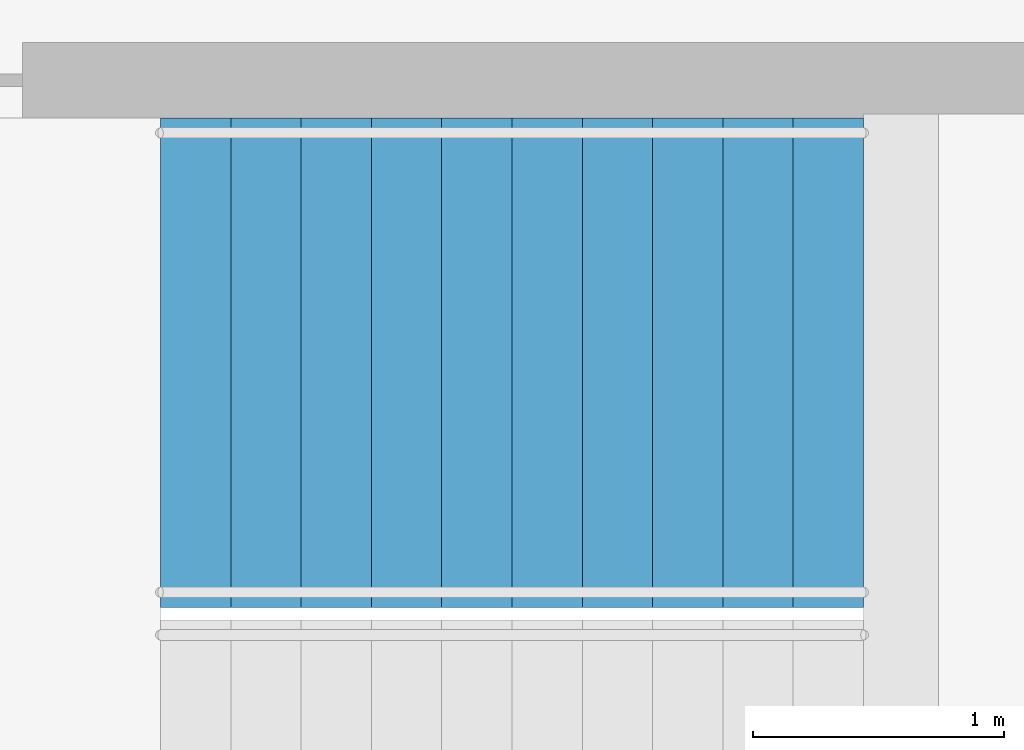
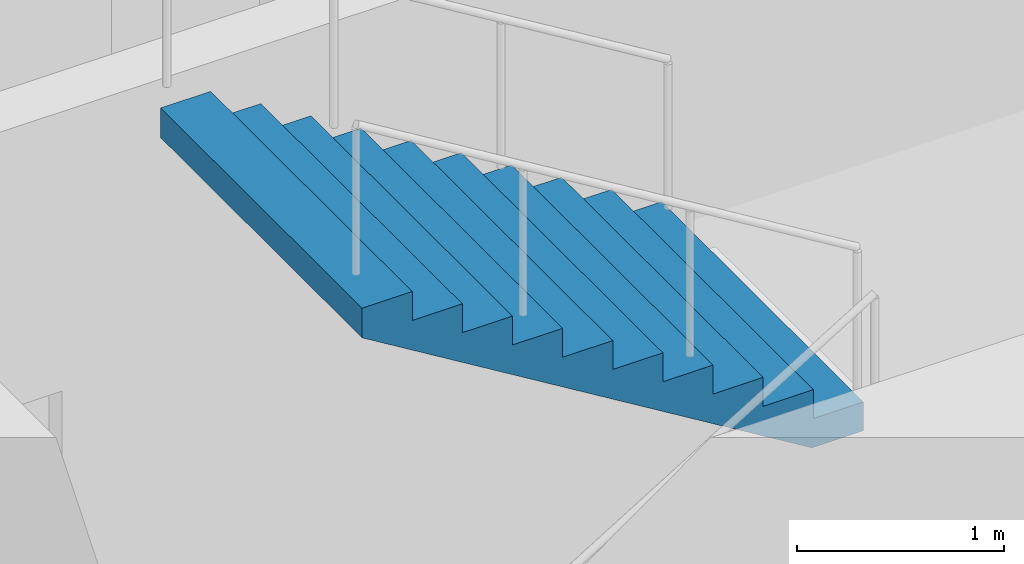
# One storey, part 22 of 25: 1 stair flight, 1 element without a shape of its own.
"""IFC4 building model written with IfcOpenShell, lengths in metres."""

from ifc_helpers import new_model, si_unit, direction, frame, origin, place, context, subcontext, project, spatial, triangles, material, type_object, element, aggregate, save


model = new_model("IFC4")

# Units and contexts
model_context = context("Model", 3, precision=1e-05, world=origin(), true_north=direction((0.0, 1.0)))
body_context = subcontext(model_context, "Body", "Model", "MODEL_VIEW")
ifc_project = project(units=[si_unit("LENGTHUNIT", "METRE"), si_unit("AREAUNIT", "SQUARE_METRE"), si_unit("VOLUMEUNIT", "CUBIC_METRE"), si_unit("PLANEANGLEUNIT", "RADIAN"), si_unit("MASSUNIT", "GRAM", prefix="KILO")], contexts=[model_context])

# Site, building, storey
site_placement = place(None, origin())
site = spatial("IfcSite", under=ifc_project, at=site_placement, CompositionType="ELEMENT")
building_placement = place(site_placement, origin())
building = spatial("IfcBuilding", under=site, at=building_placement, Name="Orbita Commons", CompositionType="ELEMENT")
storey_placement = place(building_placement, frame((0.0, 0.0, 31.449951171875)))
storey = spatial("IfcBuildingStorey", under=building, at=storey_placement, Name="L07", CompositionType="ELEMENT", Elevation=31.449951171875)

# Stair, stair flight
ifc_material_1 = material(Name="Precast concrete C40/50", Category="concrete")
stair_type = type_object("IfcStairType", Name="Exit stair S1 2 flights 11 risers 170", PredefinedType="HALF_TURN_STAIR", material=ifc_material_1)
stair_placement = place(storey_placement, origin())
stair = element("IfcStair", 1, at=stair_placement, inside=storey, type_object=stair_type, Name="Exit stair S1 L07", PredefinedType="HALF_TURN_STAIR")
ifc_material_2 = material(Name="Precast concrete C40/50", Category="concrete")
stair_flight_type = type_object("IfcStairFlightType", Name="Stair flight 11 risers 170 x 280", PredefinedType="STRAIGHT", material=ifc_material_2)
stair_flight_placement = place(storey_placement, frame((23.25, 29.27490234375, 1.875), z_axis=(0.0, 0.0, 1.0), x_axis=(-1.0, 0.0, 0.0)))
stair_flight = element("IfcStairFlight", 2, at=stair_flight_placement, type_object=stair_flight_type, Name="S1 flight 2", NumberOfRisers=11, NumberOfTreads=10, PredefinedType="STRAIGHT", RiserHeight=0.170454545, TreadLength=0.28, context=body_context, shape_type="Tessellation", body=[
    triangles([(0.0, 0.974976, 0.0), (0.0, 0.974976, 0.021307), (0.0, 0.81248, 0.021307), (0.0, 0.81248, 0.0), (0.0, 0.649984, 0.021307), (0.0, 0.649984, 0.0), (0.0, 0.487488, 0.021307), (0.0, 0.487488, 0.0), (0.0, 0.324992, 0.021307), (0.0, 0.324992, 0.0), (0.0, 0.162496, 0.021307), (0.0, 0.162496, 0.0), (0.0, 0.0, 0.021307), (0.0, 0.0, 0.0), (0.0, -0.162496, 0.021307), (0.0, -0.162496, 0.0), (0.0, -0.324992, 0.021307), (0.0, -0.324992, 0.0), (0.0, -0.487488, 0.021307), (0.0, -0.487488, 0.0), (0.0, -0.649984, 0.021307), (0.0, -0.649984, 0.0), (0.0, -0.81248, 0.021307), (0.0, -0.81248, 0.0), (0.0, -0.974976, 0.021307), (0.0, -0.974976, 0.0), (0.0, 0.974976, 0.042614), (0.0, 0.81248, 0.042614), (0.0, 0.649984, 0.042614), (0.0, 0.487488, 0.042614), (0.0, 0.324992, 0.042614), (0.0, 0.162496, 0.042614), (0.0, 0.0, 0.042614), (0.0, -0.162496, 0.042614), (0.0, -0.324992, 0.042614), (0.0, -0.487488, 0.042614), (0.0, -0.649984, 0.042614), (0.0, -0.81248, 0.042614), (0.0, -0.974976, 0.042614), (0.0, 0.974976, 0.06392), (0.0, 0.81248, 0.06392), (0.0, 0.649984, 0.06392), (0.0, 0.487488, 0.06392), (0.0, 0.324992, 0.06392), (0.0, 0.162496, 0.06392), (0.0, 0.0, 0.06392), (0.0, -0.162496, 0.06392), (0.0, -0.324992, 0.06392), (0.0, -0.487488, 0.06392), (0.0, -0.649984, 0.06392), (0.0, -0.81248, 0.06392), (0.0, -0.974976, 0.06392), (0.0, 0.974976, 0.085227), (0.0, 0.81248, 0.085227), (0.0, 0.649984, 0.085227), (0.0, 0.487488, 0.085227), (0.0, 0.324992, 0.085227), (0.0, 0.162496, 0.085227), (0.0, 0.0, 0.085227), (0.0, -0.162496, 0.085227), (0.0, -0.324992, 0.085227), (0.0, -0.487488, 0.085227), (0.0, -0.649984, 0.085227), (0.0, -0.81248, 0.085227), (0.0, -0.974976, 0.085227), (0.0, 0.974976, 0.106534), (0.0, 0.81248, 0.106534), (0.0, 0.649984, 0.106534), (0.0, 0.487488, 0.106534), (0.0, 0.324992, 0.106534), (0.0, 0.162496, 0.106534), (0.0, 0.0, 0.106534), (0.0, -0.162496, 0.106534), (0.0, -0.324992, 0.106534), (0.0, -0.487488, 0.106534), (0.0, -0.649984, 0.106534), (0.0, -0.81248, 0.106534), (0.0, -0.974976, 0.106534), (0.0, 0.974976, 0.127841), (0.0, 0.81248, 0.127841), (0.0, 0.649984, 0.127841), (0.0, 0.487488, 0.127841), (0.0, 0.324992, 0.127841), (0.0, 0.162496, 0.127841), (0.0, 0.0, 0.127841), (0.0, -0.162496, 0.127841), (0.0, -0.324992, 0.127841), (0.0, -0.487488, 0.127841), (0.0, -0.649984, 0.127841), (0.0, -0.81248, 0.127841), (0.0, -0.974976, 0.127841), (0.0, 0.974976, 0.149148), (0.0, 0.81248, 0.149148), (0.0, 0.649984, 0.149148), (0.0, 0.487488, 0.149148), (0.0, 0.324992, 0.149148), (0.0, 0.162496, 0.149148), (0.0, 0.0, 0.149148), (0.0, -0.162496, 0.149148), (0.0, -0.324992, 0.149148), (0.0, -0.487488, 0.149148), (0.0, -0.649984, 0.149148), (0.0, -0.81248, 0.149148), (0.0, -0.974976, 0.149148), (0.0, 0.974976, 0.170455), (0.0, 0.81248, 0.170455), (0.0, 0.649984, 0.170455), (0.0, 0.487488, 0.170455), (0.0, 0.324992, 0.170455), (0.0, 0.162496, 0.170455), (0.0, 0.0, 0.170455), (0.0, -0.162496, 0.170455), (0.0, -0.324992, 0.170455), (0.0, -0.487488, 0.170455), (0.0, -0.649984, 0.170455), (0.0, -0.81248, 0.170455), (0.0, -0.974976, 0.170455), (0.28, 0.974976, 0.170455), (0.28, 0.81248, 0.170455), (0.28, 0.649984, 0.170455), (0.28, 0.487488, 0.170455), (0.28, 0.324992, 0.170455), (0.28, 0.162496, 0.170455), (0.28, 0.0, 0.170455), (0.28, -0.162496, 0.170455), (0.28, -0.324992, 0.170455), (0.28, -0.487488, 0.170455), (0.28, -0.649984, 0.170455), (0.28, -0.81248, 0.170455), (0.28, -0.974976, 0.170455), (0.28, 0.974976, 0.340909), (0.28, 0.81248, 0.340909), (0.28, 0.649984, 0.340909), (0.28, 0.487488, 0.340909), (0.28, 0.324992, 0.340909), (0.28, 0.162496, 0.340909), (0.28, 0.0, 0.340909), (0.28, -0.162496, 0.340909), (0.28, -0.324992, 0.340909), (0.28, -0.487488, 0.340909), (0.28, -0.649984, 0.340909), (0.28, -0.81248, 0.340909), (0.28, -0.974976, 0.340909), (0.56, 0.974976, 0.340909), (0.56, 0.81248, 0.340909), (0.56, 0.649984, 0.340909), (0.56, 0.487488, 0.340909), (0.56, 0.324992, 0.340909), (0.56, 0.162496, 0.340909), (0.56, 0.0, 0.340909), (0.56, -0.162496, 0.340909), (0.56, -0.324992, 0.340909), (0.56, -0.487488, 0.340909), (0.56, -0.649984, 0.340909), (0.56, -0.81248, 0.340909), (0.56, -0.974976, 0.340909), (0.56, 0.974976, 0.511364), (0.56, 0.81248, 0.511364), (0.56, 0.649984, 0.511364), (0.56, 0.487488, 0.511364), (0.56, 0.324992, 0.511364), (0.56, 0.162496, 0.511364), (0.56, 0.0, 0.511364), (0.56, -0.162496, 0.511364), (0.56, -0.324992, 0.511364), (0.56, -0.487488, 0.511364), (0.56, -0.649984, 0.511364), (0.56, -0.81248, 0.511364), (0.56, -0.974976, 0.511364), (0.84, 0.974976, 0.511364), (0.84, 0.81248, 0.511364), (0.84, 0.649984, 0.511364), (0.84, 0.487488, 0.511364), (0.84, 0.324992, 0.511364), (0.84, 0.162496, 0.511364), (0.84, 0.0, 0.511364), (0.84, -0.162496, 0.511364), (0.84, -0.324992, 0.511364), (0.84, -0.487488, 0.511364), (0.84, -0.649984, 0.511364), (0.84, -0.81248, 0.511364), (0.84, -0.974976, 0.511364), (0.84, 0.974976, 0.681818), (0.84, 0.81248, 0.681818), (0.84, 0.649984, 0.681818), (0.84, 0.487488, 0.681818), (0.84, 0.324992, 0.681818), (0.84, 0.162496, 0.681818), (0.84, 0.0, 0.681818), (0.84, -0.162496, 0.681818), (0.84, -0.324992, 0.681818), (0.84, -0.487488, 0.681818), (0.84, -0.649984, 0.681818), (0.84, -0.81248, 0.681818), (0.84, -0.974976, 0.681818), (1.12, 0.974976, 0.681818), (1.12, 0.81248, 0.681818), (1.12, 0.649984, 0.681818), (1.12, 0.487488, 0.681818), (1.12, 0.324992, 0.681818), (1.12, 0.162496, 0.681818), (1.12, 0.0, 0.681818), (1.12, -0.162496, 0.681818), (1.12, -0.324992, 0.681818), (1.12, -0.487488, 0.681818), (1.12, -0.649984, 0.681818), (1.12, -0.81248, 0.681818), (1.12, -0.974976, 0.681818), (1.12, 0.974976, 0.852273), (1.12, 0.81248, 0.852273), (1.12, 0.649984, 0.852273), (1.12, 0.487488, 0.852273), (1.12, 0.324992, 0.852273), (1.12, 0.162496, 0.852273), (1.12, 0.0, 0.852273), (1.12, -0.162496, 0.852273), (1.12, -0.324992, 0.852273), (1.12, -0.487488, 0.852273), (1.12, -0.649984, 0.852273), (1.12, -0.81248, 0.852273), (1.12, -0.974976, 0.852273), (1.4, 0.974976, 0.852273), (1.4, 0.81248, 0.852273), (1.4, 0.649984, 0.852273), (1.4, 0.487488, 0.852273), (1.4, 0.324992, 0.852273), (1.4, 0.162496, 0.852273), (1.4, 0.0, 0.852273), (1.4, -0.162496, 0.852273), (1.4, -0.324992, 0.852273), (1.4, -0.487488, 0.852273), (1.4, -0.649984, 0.852273), (1.4, -0.81248, 0.852273), (1.4, -0.974976, 0.852273), (1.4, 0.974976, 1.022727), (1.4, 0.81248, 1.022727), (1.4, 0.649984, 1.022727), (1.4, 0.487488, 1.022727), (1.4, 0.324992, 1.022727), (1.4, 0.162496, 1.022727), (1.4, 0.0, 1.022727), (1.4, -0.162496, 1.022727), (1.4, -0.324992, 1.022727), (1.4, -0.487488, 1.022727), (1.4, -0.649984, 1.022727), (1.4, -0.81248, 1.022727), (1.4, -0.974976, 1.022727), (1.68, 0.974976, 1.022727), (1.68, 0.81248, 1.022727), (1.68, 0.649984, 1.022727), (1.68, 0.487488, 1.022727), (1.68, 0.324992, 1.022727), (1.68, 0.162496, 1.022727), (1.68, 0.0, 1.022727), (1.68, -0.162496, 1.022727), (1.68, -0.324992, 1.022727), (1.68, -0.487488, 1.022727), (1.68, -0.649984, 1.022727), (1.68, -0.81248, 1.022727), (1.68, -0.974976, 1.022727), (1.68, 0.974976, 1.193182), (1.68, 0.81248, 1.193182), (1.68, 0.649984, 1.193182), (1.68, 0.487488, 1.193182), (1.68, 0.324992, 1.193182), (1.68, 0.162496, 1.193182), (1.68, 0.0, 1.193182), (1.68, -0.162496, 1.193182), (1.68, -0.324992, 1.193182), (1.68, -0.487488, 1.193182), (1.68, -0.649984, 1.193182), (1.68, -0.81248, 1.193182), (1.68, -0.974976, 1.193182), (1.96, 0.974976, 1.193182), (1.96, 0.81248, 1.193182), (1.96, 0.649984, 1.193182), (1.96, 0.487488, 1.193182), (1.96, 0.324992, 1.193182), (1.96, 0.162496, 1.193182), (1.96, 0.0, 1.193182), (1.96, -0.162496, 1.193182), (1.96, -0.324992, 1.193182), (1.96, -0.487488, 1.193182), (1.96, -0.649984, 1.193182), (1.96, -0.81248, 1.193182), (1.96, -0.974976, 1.193182), (1.96, 0.974976, 1.363636), (1.96, 0.81248, 1.363636), (1.96, 0.649984, 1.363636), (1.96, 0.487488, 1.363636), (1.96, 0.324992, 1.363636), (1.96, 0.162496, 1.363636), (1.96, 0.0, 1.363636), (1.96, -0.162496, 1.363636), (1.96, -0.324992, 1.363636), (1.96, -0.487488, 1.363636), (1.96, -0.649984, 1.363636), (1.96, -0.81248, 1.363636), (1.96, -0.974976, 1.363636), (2.24, 0.974976, 1.363636), (2.24, 0.81248, 1.363636), (2.24, 0.649984, 1.363636), (2.24, 0.487488, 1.363636), (2.24, 0.324992, 1.363636), (2.24, 0.162496, 1.363636), (2.24, 0.0, 1.363636), (2.24, -0.162496, 1.363636), (2.24, -0.324992, 1.363636), (2.24, -0.487488, 1.363636), (2.24, -0.649984, 1.363636), (2.24, -0.81248, 1.363636), (2.24, -0.974976, 1.363636), (2.24, 0.974976, 1.534091), (2.24, 0.81248, 1.534091), (2.24, 0.649984, 1.534091), (2.24, 0.487488, 1.534091), (2.24, 0.324992, 1.534091), (2.24, 0.162496, 1.534091), (2.24, 0.0, 1.534091), (2.24, -0.162496, 1.534091), (2.24, -0.324992, 1.534091), (2.24, -0.487488, 1.534091), (2.24, -0.649984, 1.534091), (2.24, -0.81248, 1.534091), (2.24, -0.974976, 1.534091), (2.52, 0.974976, 1.534091), (2.52, 0.81248, 1.534091), (2.52, 0.649984, 1.534091), (2.52, 0.487488, 1.534091), (2.52, 0.324992, 1.534091), (2.52, 0.162496, 1.534091), (2.52, 0.0, 1.534091), (2.52, -0.162496, 1.534091), (2.52, -0.324992, 1.534091), (2.52, -0.487488, 1.534091), (2.52, -0.649984, 1.534091), (2.52, -0.81248, 1.534091), (2.52, -0.974976, 1.534091), (2.52, 0.974976, 1.704545), (2.52, 0.81248, 1.704545), (2.52, 0.649984, 1.704545), (2.52, 0.487488, 1.704545), (2.52, 0.324992, 1.704545), (2.52, 0.162496, 1.704545), (2.52, 0.0, 1.704545), (2.52, -0.162496, 1.704545), (2.52, -0.324992, 1.704545), (2.52, -0.487488, 1.704545), (2.52, -0.649984, 1.704545), (2.52, -0.81248, 1.704545), (2.52, -0.974976, 1.704545), (2.8, 0.974976, 1.704545), (2.8, 0.81248, 1.704545), (2.8, 0.649984, 1.704545), (2.8, 0.487488, 1.704545), (2.8, 0.324992, 1.704545), (2.8, 0.162496, 1.704545), (2.8, 0.0, 1.704545), (2.8, -0.162496, 1.704545), (2.8, -0.324992, 1.704545), (2.8, -0.487488, 1.704545), (2.8, -0.649984, 1.704545), (2.8, -0.81248, 1.704545), (2.8, -0.974976, 1.704545), (2.8, 0.974976, 1.682609), (2.8, 0.81248, 1.682609), (2.8, 0.649984, 1.682609), (2.8, 0.487488, 1.682609), (2.8, 0.324992, 1.682609), (2.8, 0.162496, 1.682609), (2.8, 0.0, 1.682609), (2.8, -0.162496, 1.682609), (2.8, -0.324992, 1.682609), (2.8, -0.487488, 1.682609), (2.8, -0.649984, 1.682609), (2.8, -0.81248, 1.682609), (2.8, -0.974976, 1.682609), (2.8, 0.974976, 1.660672), (2.8, 0.81248, 1.660672), (2.8, 0.649984, 1.660672), (2.8, 0.487488, 1.660672), (2.8, 0.324992, 1.660672), (2.8, 0.162496, 1.660672), (2.8, 0.0, 1.660672), (2.8, -0.162496, 1.660672), (2.8, -0.324992, 1.660672), (2.8, -0.487488, 1.660672), (2.8, -0.649984, 1.660672), (2.8, -0.81248, 1.660672), (2.8, -0.974976, 1.660672), (2.8, 0.974976, 1.638735), (2.8, 0.81248, 1.638735), (2.8, 0.649984, 1.638735), (2.8, 0.487488, 1.638735), (2.8, 0.324992, 1.638735), (2.8, 0.162496, 1.638735), (2.8, 0.0, 1.638735), (2.8, -0.162496, 1.638735), (2.8, -0.324992, 1.638735), (2.8, -0.487488, 1.638735), (2.8, -0.649984, 1.638735), (2.8, -0.81248, 1.638735), (2.8, -0.974976, 1.638735), (2.8, 0.974976, 1.616798), (2.8, 0.81248, 1.616798), (2.8, 0.649984, 1.616798), (2.8, 0.487488, 1.616798), (2.8, 0.324992, 1.616798), (2.8, 0.162496, 1.616798), (2.8, 0.0, 1.616798), (2.8, -0.162496, 1.616798), (2.8, -0.324992, 1.616798), (2.8, -0.487488, 1.616798), (2.8, -0.649984, 1.616798), (2.8, -0.81248, 1.616798), (2.8, -0.974976, 1.616798), (2.8, 0.974976, 1.594861), (2.8, 0.81248, 1.594861), (2.8, 0.649984, 1.594861), (2.8, 0.487488, 1.594861), (2.8, 0.324992, 1.594861), (2.8, 0.162496, 1.594861), (2.8, 0.0, 1.594861), (2.8, -0.162496, 1.594861), (2.8, -0.324992, 1.594861), (2.8, -0.487488, 1.594861), (2.8, -0.649984, 1.594861), (2.8, -0.81248, 1.594861), (2.8, -0.974976, 1.594861), (2.8, 0.974976, 1.572925), (2.8, 0.81248, 1.572925), (2.8, 0.649984, 1.572925), (2.8, 0.487488, 1.572925), (2.8, 0.324992, 1.572925), (2.8, 0.162496, 1.572925), (2.8, 0.0, 1.572925), (2.8, -0.162496, 1.572925), (2.8, -0.324992, 1.572925), (2.8, -0.487488, 1.572925), (2.8, -0.649984, 1.572925), (2.8, -0.81248, 1.572925), (2.8, -0.974976, 1.572925), (2.8, 0.974976, 1.550988), (2.8, 0.81248, 1.550988), (2.8, 0.649984, 1.550988), (2.8, 0.487488, 1.550988), (2.8, 0.324992, 1.550988), (2.8, 0.162496, 1.550988), (2.8, 0.0, 1.550988), (2.8, -0.162496, 1.550988), (2.8, -0.324992, 1.550988), (2.8, -0.487488, 1.550988), (2.8, -0.649984, 1.550988), (2.8, -0.81248, 1.550988), (2.8, -0.974976, 1.550988), (2.8, 0.974976, 1.529051), (2.8, 0.81248, 1.529051), (2.8, 0.649984, 1.529051), (2.8, 0.487488, 1.529051), (2.8, 0.324992, 1.529051), (2.8, 0.162496, 1.529051), (2.8, 0.0, 1.529051), (2.8, -0.162496, 1.529051), (2.8, -0.324992, 1.529051), (2.8, -0.487488, 1.529051), (2.8, -0.649984, 1.529051), (2.8, -0.81248, 1.529051), (2.8, -0.974976, 1.529051), (0.288279, 0.974976, 0.0), (0.288279, 0.81248, 0.0), (0.288279, 0.649984, 0.0), (0.288279, 0.487488, 0.0), (0.288279, 0.324992, 0.0), (0.288279, 0.162496, 0.0), (0.288279, 0.0, 0.0), (0.288279, -0.162496, 0.0), (0.288279, -0.324992, 0.0), (0.288279, -0.487488, 0.0), (0.288279, -0.649984, 0.0), (0.288279, -0.81248, 0.0), (0.288279, -0.974976, 0.0)], [[3, 2, 1], [4, 3, 1], [5, 3, 4], [6, 5, 4], [7, 5, 6], [8, 7, 6], [9, 7, 8], [10, 9, 8], [11, 9, 10], [12, 11, 10], [13, 11, 12], [14, 13, 12], [15, 13, 14], [16, 15, 14], [17, 15, 16], [18, 17, 16], [19, 17, 18], [20, 19, 18], [21, 19, 20], [22, 21, 20], [23, 21, 22], [24, 23, 22], [25, 23, 24], [26, 25, 24], [28, 27, 2], [3, 28, 2], [29, 28, 3], [5, 29, 3], [30, 29, 5], [7, 30, 5], [31, 30, 7], [9, 31, 7], [32, 31, 9], [11, 32, 9], [33, 32, 11], [13, 33, 11], [34, 33, 13], [15, 34, 13], [35, 34, 15], [17, 35, 15], [36, 35, 17], [19, 36, 17], [37, 36, 19], [21, 37, 19], [38, 37, 21], [23, 38, 21], [39, 38, 23], [25, 39, 23], [41, 40, 27], [28, 41, 27], [42, 41, 28], [29, 42, 28], [43, 42, 29], [30, 43, 29], [44, 43, 30], [31, 44, 30], [45, 44, 31], [32, 45, 31], [46, 45, 32], [33, 46, 32], [47, 46, 33], [34, 47, 33], [48, 47, 34], [35, 48, 34], [49, 48, 35], [36, 49, 35], [50, 49, 36], [37, 50, 36], [51, 50, 37], [38, 51, 37], [52, 51, 38], [39, 52, 38], [54, 53, 40], [41, 54, 40], [55, 54, 41], [42, 55, 41], [56, 55, 42], [43, 56, 42], [57, 56, 43], [44, 57, 43], [58, 57, 44], [45, 58, 44], [59, 58, 45], [46, 59, 45], [60, 59, 46], [47, 60, 46], [61, 60, 47], [48, 61, 47], [62, 61, 48], [49, 62, 48], [63, 62, 49], [50, 63, 49], [64, 63, 50], [51, 64, 50], [65, 64, 51], [52, 65, 51], [67, 66, 53], [54, 67, 53], [68, 67, 54], [55, 68, 54], [69, 68, 55], [56, 69, 55], [70, 69, 56], [57, 70, 56], [71, 70, 57], [58, 71, 57], [72, 71, 58], [59, 72, 58], [73, 72, 59], [60, 73, 59], [74, 73, 60], [61, 74, 60], [75, 74, 61], [62, 75, 61], [76, 75, 62], [63, 76, 62], [77, 76, 63], [64, 77, 63], [78, 77, 64], [65, 78, 64], [80, 79, 66], [67, 80, 66], [81, 80, 67], [68, 81, 67], [82, 81, 68], [69, 82, 68], [83, 82, 69], [70, 83, 69], [84, 83, 70], [71, 84, 70], [85, 84, 71], [72, 85, 71], [86, 85, 72], [73, 86, 72], [87, 86, 73], [74, 87, 73], [88, 87, 74], [75, 88, 74], [89, 88, 75], [76, 89, 75], [90, 89, 76], [77, 90, 76], [91, 90, 77], [78, 91, 77], [93, 92, 79], [80, 93, 79], [94, 93, 80], [81, 94, 80], [95, 94, 81], [82, 95, 81], [96, 95, 82], [83, 96, 82], [97, 96, 83], [84, 97, 83], [98, 97, 84], [85, 98, 84], [99, 98, 85], [86, 99, 85], [100, 99, 86], [87, 100, 86], [101, 100, 87], [88, 101, 87], [102, 101, 88], [89, 102, 88], [103, 102, 89], [90, 103, 89], [104, 103, 90], [91, 104, 90], [106, 105, 92], [93, 106, 92], [107, 106, 93], [94, 107, 93], [108, 107, 94], [95, 108, 94], [109, 108, 95], [96, 109, 95], [110, 109, 96], [97, 110, 96], [111, 110, 97], [98, 111, 97], [112, 111, 98], [99, 112, 98], [113, 112, 99], [100, 113, 99], [114, 113, 100], [101, 114, 100], [115, 114, 101], [102, 115, 101], [116, 115, 102], [103, 116, 102], [117, 116, 103], [104, 117, 103], [119, 118, 105], [106, 119, 105], [120, 119, 106], [107, 120, 106], [121, 120, 107], [108, 121, 107], [122, 121, 108], [109, 122, 108], [123, 122, 109], [110, 123, 109], [124, 123, 110], [111, 124, 110], [125, 124, 111], [112, 125, 111], [126, 125, 112], [113, 126, 112], [127, 126, 113], [114, 127, 113], [128, 127, 114], [115, 128, 114], [129, 128, 115], [116, 129, 115], [130, 129, 116], [117, 130, 116], [132, 131, 118], [119, 132, 118], [133, 132, 119], [120, 133, 119], [134, 133, 120], [121, 134, 120], [135, 134, 121], [122, 135, 121], [136, 135, 122], [123, 136, 122], [137, 136, 123], [124, 137, 123], [138, 137, 124], [125, 138, 124], [139, 138, 125], [126, 139, 125], [140, 139, 126], [127, 140, 126], [141, 140, 127], [128, 141, 127], [142, 141, 128], [129, 142, 128], [143, 142, 129], [130, 143, 129], [145, 144, 131], [132, 145, 131], [146, 145, 132], [133, 146, 132], [147, 146, 133], [134, 147, 133], [148, 147, 134], [135, 148, 134], [149, 148, 135], [136, 149, 135], [150, 149, 136], [137, 150, 136], [151, 150, 137], [138, 151, 137], [152, 151, 138], [139, 152, 138], [153, 152, 139], [140, 153, 139], [154, 153, 140], [141, 154, 140], [155, 154, 141], [142, 155, 141], [156, 155, 142], [143, 156, 142], [158, 157, 144], [145, 158, 144], [159, 158, 145], [146, 159, 145], [160, 159, 146], [147, 160, 146], [161, 160, 147], [148, 161, 147], [162, 161, 148], [149, 162, 148], [163, 162, 149], [150, 163, 149], [164, 163, 150], [151, 164, 150], [165, 164, 151], [152, 165, 151], [166, 165, 152], [153, 166, 152], [167, 166, 153], [154, 167, 153], [168, 167, 154], [155, 168, 154], [169, 168, 155], [156, 169, 155], [171, 170, 157], [158, 171, 157], [172, 171, 158], [159, 172, 158], [173, 172, 159], [160, 173, 159], [174, 173, 160], [161, 174, 160], [175, 174, 161], [162, 175, 161], [176, 175, 162], [163, 176, 162], [177, 176, 163], [164, 177, 163], [178, 177, 164], [165, 178, 164], [179, 178, 165], [166, 179, 165], [180, 179, 166], [167, 180, 166], [181, 180, 167], [168, 181, 167], [182, 181, 168], [169, 182, 168], [184, 183, 170], [171, 184, 170], [185, 184, 171], [172, 185, 171], [186, 185, 172], [173, 186, 172], [187, 186, 173], [174, 187, 173], [188, 187, 174], [175, 188, 174], [189, 188, 175], [176, 189, 175], [190, 189, 176], [177, 190, 176], [191, 190, 177], [178, 191, 177], [192, 191, 178], [179, 192, 178], [193, 192, 179], [180, 193, 179], [194, 193, 180], [181, 194, 180], [195, 194, 181], [182, 195, 181], [197, 196, 183], [184, 197, 183], [198, 197, 184], [185, 198, 184], [199, 198, 185], [186, 199, 185], [200, 199, 186], [187, 200, 186], [201, 200, 187], [188, 201, 187], [202, 201, 188], [189, 202, 188], [203, 202, 189], [190, 203, 189], [204, 203, 190], [191, 204, 190], [205, 204, 191], [192, 205, 191], [206, 205, 192], [193, 206, 192], [207, 206, 193], [194, 207, 193], [208, 207, 194], [195, 208, 194], [210, 209, 196], [197, 210, 196], [211, 210, 197], [198, 211, 197], [212, 211, 198], [199, 212, 198], [213, 212, 199], [200, 213, 199], [214, 213, 200], [201, 214, 200], [215, 214, 201], [202, 215, 201], [216, 215, 202], [203, 216, 202], [217, 216, 203], [204, 217, 203], [218, 217, 204], [205, 218, 204], [219, 218, 205], [206, 219, 205], [220, 219, 206], [207, 220, 206], [221, 220, 207], [208, 221, 207], [223, 222, 209], [210, 223, 209], [224, 223, 210], [211, 224, 210], [225, 224, 211], [212, 225, 211], [226, 225, 212], [213, 226, 212], [227, 226, 213], [214, 227, 213], [228, 227, 214], [215, 228, 214], [229, 228, 215], [216, 229, 215], [230, 229, 216], [217, 230, 216], [231, 230, 217], [218, 231, 217], [232, 231, 218], [219, 232, 218], [233, 232, 219], [220, 233, 219], [234, 233, 220], [221, 234, 220], [236, 235, 222], [223, 236, 222], [237, 236, 223], [224, 237, 223], [238, 237, 224], [225, 238, 224], [239, 238, 225], [226, 239, 225], [240, 239, 226], [227, 240, 226], [241, 240, 227], [228, 241, 227], [242, 241, 228], [229, 242, 228], [243, 242, 229], [230, 243, 229], [244, 243, 230], [231, 244, 230], [245, 244, 231], [232, 245, 231], [246, 245, 232], [233, 246, 232], [247, 246, 233], [234, 247, 233], [249, 248, 235], [236, 249, 235], [250, 249, 236], [237, 250, 236], [251, 250, 237], [238, 251, 237], [252, 251, 238], [239, 252, 238], [253, 252, 239], [240, 253, 239], [254, 253, 240], [241, 254, 240], [255, 254, 241], [242, 255, 241], [256, 255, 242], [243, 256, 242], [257, 256, 243], [244, 257, 243], [258, 257, 244], [245, 258, 244], [259, 258, 245], [246, 259, 245], [260, 259, 246], [247, 260, 246], [262, 261, 248], [249, 262, 248], [263, 262, 249], [250, 263, 249], [264, 263, 250], [251, 264, 250], [265, 264, 251], [252, 265, 251], [266, 265, 252], [253, 266, 252], [267, 266, 253], [254, 267, 253], [268, 267, 254], [255, 268, 254], [269, 268, 255], [256, 269, 255], [270, 269, 256], [257, 270, 256], [271, 270, 257], [258, 271, 257], [272, 271, 258], [259, 272, 258], [273, 272, 259], [260, 273, 259], [275, 274, 261], [262, 275, 261], [276, 275, 262], [263, 276, 262], [277, 276, 263], [264, 277, 263], [278, 277, 264], [265, 278, 264], [279, 278, 265], [266, 279, 265], [280, 279, 266], [267, 280, 266], [281, 280, 267], [268, 281, 267], [282, 281, 268], [269, 282, 268], [283, 282, 269], [270, 283, 269], [284, 283, 270], [271, 284, 270], [285, 284, 271], [272, 285, 271], [286, 285, 272], [273, 286, 272], [288, 287, 274], [275, 288, 274], [289, 288, 275], [276, 289, 275], [290, 289, 276], [277, 290, 276], [291, 290, 277], [278, 291, 277], [292, 291, 278], [279, 292, 278], [293, 292, 279], [280, 293, 279], [294, 293, 280], [281, 294, 280], [295, 294, 281], [282, 295, 281], [296, 295, 282], [283, 296, 282], [297, 296, 283], [284, 297, 283], [298, 297, 284], [285, 298, 284], [299, 298, 285], [286, 299, 285], [301, 300, 287], [288, 301, 287], [302, 301, 288], [289, 302, 288], [303, 302, 289], [290, 303, 289], [304, 303, 290], [291, 304, 290], [305, 304, 291], [292, 305, 291], [306, 305, 292], [293, 306, 292], [307, 306, 293], [294, 307, 293], [308, 307, 294], [295, 308, 294], [309, 308, 295], [296, 309, 295], [310, 309, 296], [297, 310, 296], [311, 310, 297], [298, 311, 297], [312, 311, 298], [299, 312, 298], [314, 313, 300], [301, 314, 300], [315, 314, 301], [302, 315, 301], [316, 315, 302], [303, 316, 302], [317, 316, 303], [304, 317, 303], [318, 317, 304], [305, 318, 304], [319, 318, 305], [306, 319, 305], [320, 319, 306], [307, 320, 306], [321, 320, 307], [308, 321, 307], [322, 321, 308], [309, 322, 308], [323, 322, 309], [310, 323, 309], [324, 323, 310], [311, 324, 310], [325, 324, 311], [312, 325, 311], [327, 326, 313], [314, 327, 313], [328, 327, 314], [315, 328, 314], [329, 328, 315], [316, 329, 315], [330, 329, 316], [317, 330, 316], [331, 330, 317], [318, 331, 317], [332, 331, 318], [319, 332, 318], [333, 332, 319], [320, 333, 319], [334, 333, 320], [321, 334, 320], [335, 334, 321], [322, 335, 321], [336, 335, 322], [323, 336, 322], [337, 336, 323], [324, 337, 323], [338, 337, 324], [325, 338, 324], [340, 339, 326], [327, 340, 326], [341, 340, 327], [328, 341, 327], [342, 341, 328], [329, 342, 328], [343, 342, 329], [330, 343, 329], [344, 343, 330], [331, 344, 330], [345, 344, 331], [332, 345, 331], [346, 345, 332], [333, 346, 332], [347, 346, 333], [334, 347, 333], [348, 347, 334], [335, 348, 334], [349, 348, 335], [336, 349, 335], [350, 349, 336], [337, 350, 336], [351, 350, 337], [338, 351, 337], [353, 352, 339], [340, 353, 339], [354, 353, 340], [341, 354, 340], [355, 354, 341], [342, 355, 341], [356, 355, 342], [343, 356, 342], [357, 356, 343], [344, 357, 343], [358, 357, 344], [345, 358, 344], [359, 358, 345], [346, 359, 345], [360, 359, 346], [347, 360, 346], [361, 360, 347], [348, 361, 347], [362, 361, 348], [349, 362, 348], [363, 362, 349], [350, 363, 349], [364, 363, 350], [351, 364, 350], [366, 365, 352], [353, 366, 352], [367, 366, 353], [354, 367, 353], [368, 367, 354], [355, 368, 354], [369, 368, 355], [356, 369, 355], [370, 369, 356], [357, 370, 356], [371, 370, 357], [358, 371, 357], [372, 371, 358], [359, 372, 358], [373, 372, 359], [360, 373, 359], [374, 373, 360], [361, 374, 360], [375, 374, 361], [362, 375, 361], [376, 375, 362], [363, 376, 362], [377, 376, 363], [364, 377, 363], [379, 378, 365], [366, 379, 365], [380, 379, 366], [367, 380, 366], [381, 380, 367], [368, 381, 367], [382, 381, 368], [369, 382, 368], [383, 382, 369], [370, 383, 369], [384, 383, 370], [371, 384, 370], [385, 384, 371], [372, 385, 371], [386, 385, 372], [373, 386, 372], [387, 386, 373], [374, 387, 373], [388, 387, 374], [375, 388, 374], [389, 388, 375], [376, 389, 375], [390, 389, 376], [377, 390, 376], [392, 391, 378], [379, 392, 378], [393, 392, 379], [380, 393, 379], [394, 393, 380], [381, 394, 380], [395, 394, 381], [382, 395, 381], [396, 395, 382], [383, 396, 382], [397, 396, 383], [384, 397, 383], [398, 397, 384], [385, 398, 384], [399, 398, 385], [386, 399, 385], [400, 399, 386], [387, 400, 386], [401, 400, 387], [388, 401, 387], [402, 401, 388], [389, 402, 388], [403, 402, 389], [390, 403, 389], [405, 404, 391], [392, 405, 391], [406, 405, 392], [393, 406, 392], [407, 406, 393], [394, 407, 393], [408, 407, 394], [395, 408, 394], [409, 408, 395], [396, 409, 395], [410, 409, 396], [397, 410, 396], [411, 410, 397], [398, 411, 397], [412, 411, 398], [399, 412, 398], [413, 412, 399], [400, 413, 399], [414, 413, 400], [401, 414, 400], [415, 414, 401], [402, 415, 401], [416, 415, 402], [403, 416, 402], [418, 417, 404], [405, 418, 404], [419, 418, 405], [406, 419, 405], [420, 419, 406], [407, 420, 406], [421, 420, 407], [408, 421, 407], [422, 421, 408], [409, 422, 408], [423, 422, 409], [410, 423, 409], [424, 423, 410], [411, 424, 410], [425, 424, 411], [412, 425, 411], [426, 425, 412], [413, 426, 412], [427, 426, 413], [414, 427, 413], [428, 427, 414], [415, 428, 414], [429, 428, 415], [416, 429, 415], [431, 430, 417], [418, 431, 417], [432, 431, 418], [419, 432, 418], [433, 432, 419], [420, 433, 419], [434, 433, 420], [421, 434, 420], [435, 434, 421], [422, 435, 421], [436, 435, 422], [423, 436, 422], [437, 436, 423], [424, 437, 423], [438, 437, 424], [425, 438, 424], [439, 438, 425], [426, 439, 425], [440, 439, 426], [427, 440, 426], [441, 440, 427], [428, 441, 427], [442, 441, 428], [429, 442, 428], [444, 443, 430], [431, 444, 430], [445, 444, 431], [432, 445, 431], [446, 445, 432], [433, 446, 432], [447, 446, 433], [434, 447, 433], [448, 447, 434], [435, 448, 434], [449, 448, 435], [436, 449, 435], [450, 449, 436], [437, 450, 436], [451, 450, 437], [438, 451, 437], [452, 451, 438], [439, 452, 438], [453, 452, 439], [440, 453, 439], [454, 453, 440], [441, 454, 440], [455, 454, 441], [442, 455, 441], [457, 456, 443], [444, 457, 443], [458, 457, 444], [445, 458, 444], [459, 458, 445], [446, 459, 445], [460, 459, 446], [447, 460, 446], [461, 460, 447], [448, 461, 447], [462, 461, 448], [449, 462, 448], [463, 462, 449], [450, 463, 449], [464, 463, 450], [451, 464, 450], [465, 464, 451], [452, 465, 451], [466, 465, 452], [453, 466, 452], [467, 466, 453], [454, 467, 453], [468, 467, 454], [455, 468, 454], [470, 469, 456], [457, 470, 456], [471, 470, 457], [458, 471, 457], [472, 471, 458], [459, 472, 458], [473, 472, 459], [460, 473, 459], [474, 473, 460], [461, 474, 460], [475, 474, 461], [462, 475, 461], [476, 475, 462], [463, 476, 462], [477, 476, 463], [464, 477, 463], [478, 477, 464], [465, 478, 464], [479, 478, 465], [466, 479, 465], [480, 479, 466], [467, 480, 466], [481, 480, 467], [468, 481, 467], [4, 1, 469], [470, 4, 469], [6, 4, 470], [471, 6, 470], [8, 6, 471], [472, 8, 471], [10, 8, 472], [473, 10, 472], [12, 10, 473], [474, 12, 473], [14, 12, 474], [475, 14, 474], [16, 14, 475], [476, 16, 475], [18, 16, 476], [477, 18, 476], [20, 18, 477], [478, 20, 477], [22, 20, 478], [479, 22, 478], [24, 22, 479], [480, 24, 479], [26, 24, 480], [481, 26, 480], [456, 469, 1], [26, 481, 468], [443, 456, 1], [26, 468, 455], [430, 443, 1], [26, 455, 442], [417, 430, 1], [26, 442, 429], [404, 417, 1], [26, 429, 416], [391, 404, 1], [26, 416, 403], [378, 391, 1], [26, 403, 390], [365, 378, 1], [26, 390, 377], [339, 352, 365], [377, 364, 351], [326, 339, 365], [377, 351, 338], [300, 313, 326], [338, 325, 312], [300, 326, 365], [377, 338, 312], [274, 287, 300], [312, 299, 286], [274, 300, 365], [377, 312, 286], [248, 261, 274], [286, 273, 260], [248, 274, 365], [377, 286, 260], [222, 235, 248], [260, 247, 234], [222, 248, 365], [377, 260, 234], [196, 209, 222], [234, 221, 208], [196, 222, 365], [377, 234, 208], [170, 183, 196], [208, 195, 182], [170, 196, 365], [377, 208, 182], [144, 157, 170], [182, 169, 156], [144, 170, 365], [377, 182, 156], [118, 131, 144], [156, 143, 130], [118, 144, 365], [377, 156, 130], [118, 365, 1], [26, 377, 130], [92, 105, 118], [130, 117, 104], [79, 92, 118], [130, 104, 91], [66, 79, 118], [130, 91, 78], [53, 66, 118], [130, 78, 65], [40, 53, 118], [130, 65, 52], [27, 40, 118], [130, 52, 39], [2, 27, 118], [130, 39, 25], [1, 2, 118], [130, 25, 26]], closed=True),
])
aggregate(stair, [stair_flight])

save(model, "model.ifc")
